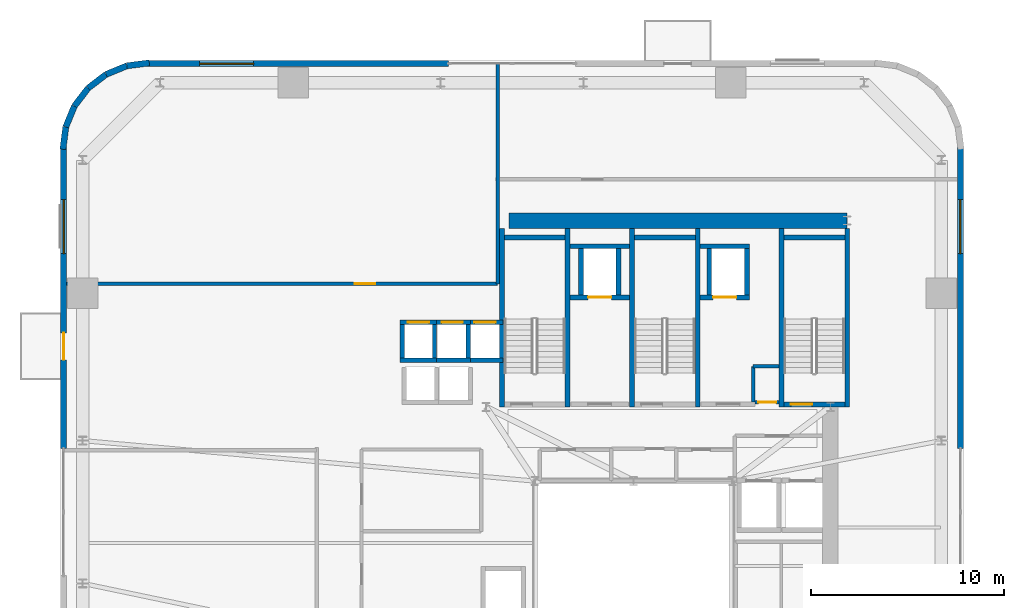
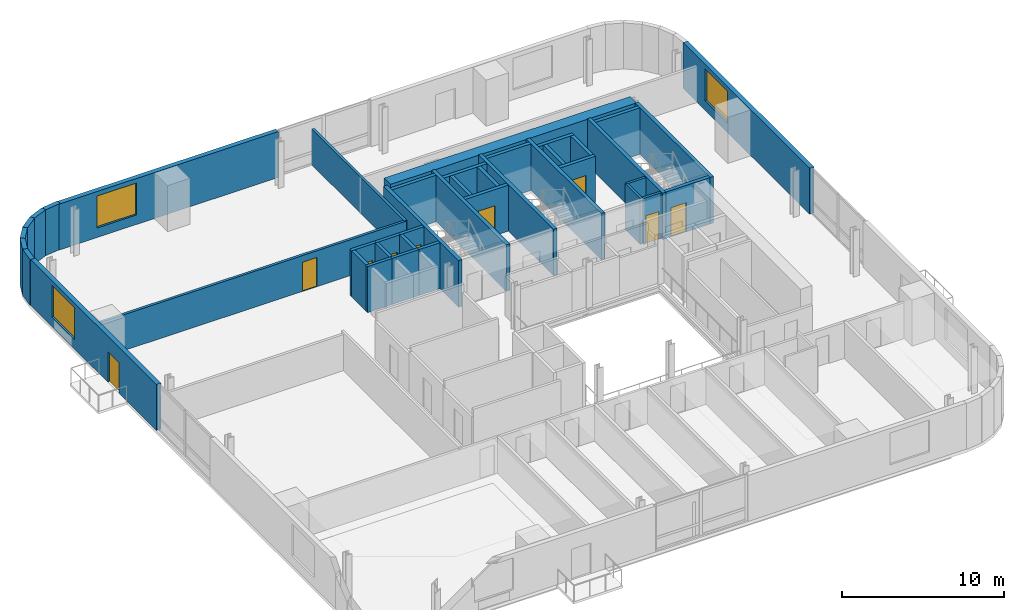
# One storey, part 8 of 14: 42 walls, 9 doors, 3 windows, 12 openings.
"""IFC4 building model written with IfcOpenShell, lengths in metres."""

from ifc_helpers import new_model, si_unit, direction, frame, frame_2d, origin, place, context, subcontext, project, spatial, rectangle, extrude, source, transform, mapped, material, layer, layer_set, type_object, element, fill, save


model = new_model("IFC4")

# Units and contexts
model_context = context("Model", 3, precision=1e-05, world=origin(), true_north=direction((0.0, 1.0)))
body_context = subcontext(model_context, "Body", "Model", "MODEL_VIEW")
ifc_project = project(units=[si_unit("LENGTHUNIT", "METRE"), si_unit("AREAUNIT", "SQUARE_METRE"), si_unit("VOLUMEUNIT", "CUBIC_METRE"), si_unit("PLANEANGLEUNIT", "RADIAN"), si_unit("MASSUNIT", "GRAM", prefix="KILO")], contexts=[model_context])

# Site, building, storey
site_placement = place(None, origin())
site = spatial("IfcSite", under=ifc_project, at=site_placement, CompositionType="ELEMENT")
building_placement = place(site_placement, origin())
building = spatial("IfcBuilding", under=site, at=building_placement, Name="Vardaveli Station Tower", CompositionType="ELEMENT")
storey_placement = place(building_placement, frame((0.0, 0.0, 126.10009765625)))
storey = spatial("IfcBuildingStorey", under=building, at=storey_placement, Name="L32", CompositionType="ELEMENT", Elevation=126.10009765625)

# Wall
ifc_material_1 = material(Name="Concrete C50/60", Category="concrete")
ifc_layer_1 = layer(ifc_material_1, 0.800048828125, Name="Concrete C50/60")
ifc_layer_set_1 = layer_set([ifc_layer_1], Name="Concrete C50/60")
wall_type_1 = type_object("IfcWallType", Name="WAL-CORE-800", PredefinedType="SHEAR", material=ifc_layer_set_1)
shared_shape_1 = source(origin(), body_context, "Body", "SweptSolid", [
    extrude(rectangle(XDim=17.52001953125, YDim=0.800048828125, at=frame_2d((8.760009765625, 0.0))), origin(), (0.0, 0.0, 1.0), 3.4599609375),
])
wall_1_placement = place(storey_placement, frame((29.85009765625, 40.300048828125, 0.0), z_axis=(0.0, 0.0, 1.0), x_axis=(1.0, 0.0, 0.0)))
element("IfcWall", 1, at=wall_1_placement, inside=storey, type_object=wall_type_1, Name="SW-L32-NORTH", PredefinedType="SHEAR", context=body_context, shape_type="MappedRepresentation", body=[
    mapped(shared_shape_1, transform((0.0, 0.0, 0.0), scale=1.0)),
])

# Wall, opening, window
ifc_material_2 = material(Name="Precast concrete C45/55", Category="concrete")
ifc_layer_2 = layer(ifc_material_2, 0.320068359375, Name="Precast concrete C45/55")
ifc_layer_set_2 = layer_set([ifc_layer_2], Name="Precast concrete C45/55")
wall_type_2 = type_object("IfcWallType", Name="WAL-EXT-STONE-320", PredefinedType="SOLIDWALL", material=ifc_layer_set_2)
shared_shape_2 = source(origin(), body_context, "Body", "SweptSolid", [
    extrude(rectangle(XDim=15.599853515625, YDim=0.320068359375, at=frame_2d((7.7998046875, 0.0))), origin(), (0.0, 0.0, 1.0), 3.4599609375),
])
wall_2_placement = place(storey_placement, frame((26.699951171875, 48.43994140625, 0.0), z_axis=(0.0, 0.0, 1.0), x_axis=(-1.0, 0.0, 0.0)))
wall_2 = element("IfcWall", 2, at=wall_2_placement, inside=storey, type_object=wall_type_2, Name="EW-L32-N2", PredefinedType="SOLIDWALL", context=body_context, shape_type="MappedRepresentation", body=[
    mapped(shared_shape_2, transform((0.0, 0.0, 0.0), scale=1.0)),
])
shared_shape_3 = source(origin(), body_context, "Body", "SweptSolid", [
    extrude(rectangle(XDim=2.800048828125, YDim=2.39990234375, at=frame_2d((1.39990234375, 1.199951171875))), frame((0.0, 0.169921875, 0.0), z_axis=(0.0, -1.0, 0.0), x_axis=(1.0, 0.0, 0.0)), (0.0, 0.0, 1.0), 0.340087890625),
])
opening_1_placement = place(wall_2_placement, frame((10.094970703125, 0.0, 0.719970703125)))
opening_1 = element("IfcOpeningElement", 3, at=opening_1_placement, cuts=wall_2, Name="Opening W-04", PredefinedType="OPENING", context=body_context, shape_type="MappedRepresentation", body=[
    mapped(shared_shape_3, transform((0.0, 0.0, 0.0), scale=1.0)),
])
ifc_material_3 = material(Name="Low-E solar-control glass", Category="glass")
window_type = type_object("IfcWindowType", Name="WIN-SUITE-2800x2400", PartitioningType="SINGLE_PANEL", PredefinedType="WINDOW", material=ifc_material_3)
shared_shape_4 = source(origin(), body_context, "Body", "SweptSolid", [
    extrude(rectangle(XDim=2.800048828125, YDim=2.39990234375, at=frame_2d((1.39990234375, 1.199951171875))), frame((0.0, 0.030029296875, 0.0), z_axis=(0.0, -1.0, 0.0), x_axis=(1.0, 0.0, 0.0)), (0.0, 0.0, 1.0), 0.06005859375),
])
window_1_placement = place(opening_1_placement, origin())
window_1 = element("IfcWindow", 4, at=window_1_placement, inside=storey, type_object=window_type, Name="WN-L32-N2", OverallHeight=2.39990234375, OverallWidth=2.800048828125, PartitioningType="SINGLE_PANEL", PredefinedType="WINDOW", context=body_context, shape_type="MappedRepresentation", body=[
    mapped(shared_shape_4, transform((0.0, 0.0, 0.0), scale=1.0)),
])
fill(opening_1, window_1)

# Wall, openings, door, window
shared_shape_5 = source(origin(), body_context, "Body", "SweptSolid", [
    extrude(rectangle(XDim=15.60009765625, YDim=0.320068359375, at=frame_2d((7.800048828125, 0.0))), origin(), (0.0, 0.0, 1.0), 3.4599609375),
])
wall_3_placement = place(storey_placement, frame((6.760009765625, 44.10009765625, 0.0), z_axis=(0.0, 0.0, 1.0), x_axis=(0.0, -1.0, 0.0)))
wall_3 = element("IfcWall", 5, at=wall_3_placement, inside=storey, type_object=wall_type_2, Name="EW-L32-W1", PredefinedType="SOLIDWALL", context=body_context, shape_type="MappedRepresentation", body=[
    mapped(shared_shape_5, transform((0.0, 0.0, 0.0), scale=1.0)),
])
shared_shape_6 = source(origin(), body_context, "Body", "SweptSolid", [
    extrude(rectangle(XDim=1.39990234375, YDim=2.300048828125, at=frame_2d((0.699951171875, 1.14990234375))), frame((0.0, 0.169921875, 0.0), z_axis=(0.0, -1.0, 0.0), x_axis=(1.0, 0.0, 0.0)), (0.0, 0.0, 1.0), 0.340087890625),
])
opening_2_placement = place(wall_3_placement, frame((9.6103515625, 0.0, 0.0)))
opening_2 = element("IfcOpeningElement", 6, at=opening_2_placement, cuts=wall_3, Name="Opening D-09", PredefinedType="OPENING", context=body_context, shape_type="MappedRepresentation", body=[
    mapped(shared_shape_6, transform((0.0, 0.0, 0.0), scale=1.0)),
])
opening_3_placement = place(wall_3_placement, frame((2.705078125, 0.0, 0.719970703125)))
opening_3 = element("IfcOpeningElement", 7, at=opening_3_placement, cuts=wall_3, Name="Opening W-04", PredefinedType="OPENING", context=body_context, shape_type="MappedRepresentation", body=[
    mapped(shared_shape_3, transform((0.0, 0.0, 0.0), scale=1.0)),
])
ifc_material_4 = material(Name="Thermally broken aluminium glass", Category="aluminium")
door_type_1 = type_object("IfcDoorType", Name="DR-LOG-1400x2300", OperationType="DOUBLE_DOOR_SLIDING", PredefinedType="DOOR", material=ifc_material_4)
shared_shape_7 = source(origin(), body_context, "Body", "SweptSolid", [
    extrude(rectangle(XDim=1.39990234375, YDim=2.300048828125, at=frame_2d((0.699951171875, 1.14990234375))), frame((0.0, 0.02490234375, 0.0), z_axis=(0.0, -1.0, 0.0), x_axis=(1.0, 0.0, 0.0)), (0.0, 0.0, 1.0), 0.050048828125),
])
door_1_placement = place(opening_2_placement, frame((1.39990234375, 0.0, 0.0), z_axis=(0.0, 0.0, 1.0), x_axis=(-1.0, 0.0, 0.0)))
door_1 = element("IfcDoor", 8, at=door_1_placement, inside=storey, type_object=door_type_1, Name="DLG-L32-W", OperationType="DOUBLE_DOOR_SLIDING", OverallHeight=2.300048828125, OverallWidth=1.39990234375, PredefinedType="DOOR", context=body_context, shape_type="MappedRepresentation", body=[
    mapped(shared_shape_7, transform((0.0, 0.0, 0.0), scale=1.0)),
])
fill(opening_2, door_1)
window_2_placement = place(opening_3_placement, origin())
window_2 = element("IfcWindow", 9, at=window_2_placement, inside=storey, type_object=window_type, Name="WN-L32-W1", OverallHeight=2.39990234375, OverallWidth=2.800048828125, PartitioningType="SINGLE_PANEL", PredefinedType="WINDOW", context=body_context, shape_type="MappedRepresentation", body=[
    mapped(shared_shape_4, transform((0.0, 0.0, 0.0), scale=1.0)),
])
fill(opening_3, window_2)

# Wall, opening, window
wall_4_placement = place(storey_placement, frame((53.239990234375, 28.5, 0.0), z_axis=(0.0, 0.0, 1.0), x_axis=(0.0, 1.0, 0.0)))
wall_4 = element("IfcWall", 10, at=wall_4_placement, inside=storey, type_object=wall_type_2, Name="EW-L32-E2", PredefinedType="SOLIDWALL", context=body_context, shape_type="MappedRepresentation", body=[
    mapped(shared_shape_5, transform((0.0, 0.0, 0.0), scale=1.0)),
])
opening_4_placement = place(wall_4_placement, frame((10.094970703125, 0.0, 0.719970703125)))
opening_4 = element("IfcOpeningElement", 11, at=opening_4_placement, cuts=wall_4, Name="Opening W-04", PredefinedType="OPENING", context=body_context, shape_type="MappedRepresentation", body=[
    mapped(shared_shape_3, transform((0.0, 0.0, 0.0), scale=1.0)),
])
window_3_placement = place(opening_4_placement, origin())
window_3 = element("IfcWindow", 12, at=window_3_placement, inside=storey, type_object=window_type, Name="WN-L32-E2", OverallHeight=2.39990234375, OverallWidth=2.800048828125, PartitioningType="SINGLE_PANEL", PredefinedType="WINDOW", context=body_context, shape_type="MappedRepresentation", body=[
    mapped(shared_shape_4, transform((0.0, 0.0, 0.0), scale=1.0)),
])
fill(opening_4, window_3)

# Walls
shared_shape_8 = source(origin(), body_context, "Body", "SweptSolid", [
    extrude(rectangle(XDim=1.1689453125, YDim=0.320068359375, at=frame_2d((0.58447265625, 0.0))), origin(), (0.0, 0.0, 1.0), 3.4599609375),
])
wall_5_placement = place(storey_placement, frame((8.03125, 47.1689453125, 0.0), z_axis=(0.0, 0.0, 1.0), x_axis=(-0.608387696831, -0.793639975269, 0.0)))
element("IfcWall", 13, at=wall_5_placement, inside=storey, type_object=wall_type_2, Name="EW-L32-CR4-4", PredefinedType="SOLIDWALL", context=body_context, shape_type="MappedRepresentation", body=[
    mapped(shared_shape_8, transform((0.0, 0.0, 0.0), scale=1.0)),
])
shared_shape_9 = source(origin(), body_context, "Body", "SweptSolid", [
    extrude(rectangle(XDim=1.168701171875, YDim=0.320068359375, at=frame_2d((0.58447265625, 0.0))), origin(), (0.0, 0.0, 1.0), 3.4599609375),
])
wall_6_placement = place(storey_placement, frame((8.958740234375, 47.8798828125, 0.0), z_axis=(0.0, 0.0, 1.0), x_axis=(-0.793663520347, -0.608356981114, 0.0)))
element("IfcWall", 14, at=wall_6_placement, inside=storey, type_object=wall_type_2, Name="EW-L32-CR4-3", PredefinedType="SOLIDWALL", context=body_context, shape_type="MappedRepresentation", body=[
    mapped(shared_shape_9, transform((0.0, 0.0, 0.0), scale=1.0)),
])
shared_shape_10 = source(origin(), body_context, "Body", "SweptSolid", [
    extrude(rectangle(XDim=1.17041015625, YDim=0.320068359375, at=frame_2d((0.585205078125, 0.0))), origin(), (0.0, 0.0, 1.0), 3.4599609375),
])
for number, where, z_axis, x_axis, name in (
    (15, (11.200439453125, 48.4755859375, 0.0), (0.0, 0.0, 1.0), (-0.991735963317, -0.128295670475, 0.0), "EW-L32-CR4-1"),
    (16, (6.87451171875, 45.16015625, 0.0), (0.0, 0.0, 1.0), (-0.128295670475, -0.991735963317, 0.0), "EW-L32-CR4-6"),
):
    element("IfcWall", number, at=place(storey_placement, frame(where, z_axis=z_axis, x_axis=x_axis)), inside=storey, type_object=wall_type_2, Name=name, PredefinedType="SOLIDWALL", context=body_context, shape_type="MappedRepresentation", body=[
        mapped(shared_shape_10, transform((0.0, 0.0, 0.0), scale=1.0)),
    ])
shared_shape_11 = source(origin(), body_context, "Body", "SweptSolid", [
    extrude(rectangle(XDim=1.169189453125, YDim=0.320068359375, at=frame_2d((0.58447265625, 0.0))), origin(), (0.0, 0.0, 1.0), 3.4599609375),
])
for number, where, z_axis, x_axis, name in (
    (17, (10.039794921875, 48.325439453125, 0.0), (0.0, 0.0, 1.0), (-0.924552646638, -0.381054331552, 0.0), "EW-L32-CR4-2"),
    (18, (7.320068359375, 46.2412109375, 0.0), (0.0, 0.0, 1.0), (-0.381054331552, -0.924552646638, 0.0), "EW-L32-CR4-5"),
):
    element("IfcWall", number, at=place(storey_placement, frame(where, z_axis=z_axis, x_axis=x_axis)), inside=storey, type_object=wall_type_2, Name=name, PredefinedType="SOLIDWALL", context=body_context, shape_type="MappedRepresentation", body=[
        mapped(shared_shape_11, transform((0.0, 0.0, 0.0), scale=1.0)),
    ])
ifc_material_5 = material(Name="Concrete C40/50", Category="concrete")
ifc_layer_3 = layer(ifc_material_5, 0.25, Name="Concrete C40/50")
ifc_layer_set_3 = layer_set([ifc_layer_3], Name="Concrete C40/50")
wall_type_3 = type_object("IfcWallType", Name="WAL-SHAFT-250", PredefinedType="SOLIDWALL", material=ifc_layer_set_3)
shared_shape_12 = source(origin(), body_context, "Body", "SweptSolid", [
    extrude(rectangle(XDim=9.25, YDim=0.25, at=frame_2d((4.625, 0.0))), origin(), (0.0, 0.0, 1.0), 3.5),
])
for number, where, z_axis, x_axis, name in (
    (19, (29.47509765625, 30.64990234375, 0.0), (0.0, 0.0, 1.0), (0.0, 1.0, 0.0), "W-L32-ST-1W"),
    (20, (32.875, 30.64990234375, 0.0), (0.0, 0.0, 1.0), (0.0, 1.0, 0.0), "W-L32-ST-1E"),
    (21, (36.22509765625, 30.64990234375, 0.0), (0.0, 0.0, 1.0), (0.0, 1.0, 0.0), "W-L32-ST-2W"),
    (22, (39.625, 30.64990234375, 0.0), (0.0, 0.0, 1.0), (0.0, 1.0, 0.0), "W-L32-ST-2E"),
    (23, (43.97509765625, 30.64990234375, 0.0), (0.0, 0.0, 1.0), (0.0, 1.0, 0.0), "W-L32-ST-3W"),
    (24, (47.375, 30.64990234375, 0.0), (0.0, 0.0, 1.0), (0.0, 1.0, 0.0), "W-L32-ST-3E"),
):
    element("IfcWall", number, at=place(storey_placement, frame(where, z_axis=z_axis, x_axis=x_axis)), inside=storey, type_object=wall_type_3, Name=name, PredefinedType="SOLIDWALL", context=body_context, shape_type="MappedRepresentation", body=[
        mapped(shared_shape_12, transform((0.0, 0.0, 0.0), scale=1.0)),
    ])
shared_shape_13 = source(origin(), body_context, "Body", "SweptSolid", [
    extrude(rectangle(XDim=3.14990234375, YDim=0.25, at=frame_2d((1.574951171875, 0.0))), origin(), (0.0, 0.0, 1.0), 3.5),
])
for number, where, z_axis, x_axis, name in (
    (25, (29.60009765625, 39.425048828125, 0.0), (0.0, 0.0, 1.0), (1.0, 0.0, 0.0), "W-L32-ST-1N"),
    (26, (36.35009765625, 39.425048828125, 0.0), (0.0, 0.0, 1.0), (1.0, 0.0, 0.0), "W-L32-ST-2N"),
    (27, (44.10009765625, 39.425048828125, 0.0), (0.0, 0.0, 1.0), (1.0, 0.0, 0.0), "W-L32-ST-3N"),
):
    element("IfcWall", number, at=place(storey_placement, frame(where, z_axis=z_axis, x_axis=x_axis)), inside=storey, type_object=wall_type_3, Name=name, PredefinedType="SOLIDWALL", context=body_context, shape_type="MappedRepresentation", body=[
        mapped(shared_shape_13, transform((0.0, 0.0, 0.0), scale=1.0)),
    ])

# Wall, opening, door
wall_7_placement = place(storey_placement, frame((44.10009765625, 30.77490234375, 0.0), z_axis=(0.0, 0.0, 1.0), x_axis=(1.0, 0.0, 0.0)))
wall_7 = element("IfcWall", 28, at=wall_7_placement, inside=storey, type_object=wall_type_3, Name="W-L32-ST-3S", PredefinedType="SOLIDWALL", context=body_context, shape_type="MappedRepresentation", body=[
    mapped(shared_shape_13, transform((0.0, 0.0, 0.0), scale=1.0)),
])
shared_shape_14 = source(origin(), body_context, "Body", "SweptSolid", [
    extrude(rectangle(XDim=1.10009765625, YDim=2.199951171875, at=frame_2d((0.550048828125, 1.10009765625))), frame((0.0, 0.135009765625, 0.0), z_axis=(0.0, -1.0, 0.0), x_axis=(1.0, 0.0, 0.0)), (0.0, 0.0, 1.0), 0.27001953125),
])
opening_5_placement = place(wall_7_placement, frame((0.35009765625, 0.0, 0.0)))
opening_5 = element("IfcOpeningElement", 29, at=opening_5_placement, cuts=wall_7, Name="Opening D-04", PredefinedType="OPENING", context=body_context, shape_type="MappedRepresentation", body=[
    mapped(shared_shape_14, transform((0.0, 0.0, 0.0), scale=1.0)),
])
ifc_material_6 = material(Name="Steel smokeproof fire doorset", Category="steel")
door_type_2 = type_object("IfcDoorType", Name="DR-ST-1100x2200", OperationType="NOTDEFINED", PredefinedType="DOOR", material=ifc_material_6)
shared_shape_15 = source(origin(), body_context, "Body", "SweptSolid", [
    extrude(rectangle(XDim=1.10009765625, YDim=2.199951171875, at=frame_2d((0.550048828125, 1.10009765625))), frame((0.0, 0.02490234375, 0.0), z_axis=(0.0, -1.0, 0.0), x_axis=(1.0, 0.0, 0.0)), (0.0, 0.0, 1.0), 0.050048828125),
])
door_2_placement = place(opening_5_placement, origin())
door_2 = element("IfcDoor", 30, at=door_2_placement, inside=storey, type_object=door_type_2, Name="DST-3-L32", OperationType="SINGLE_SWING_LEFT", OverallHeight=2.199951171875, OverallWidth=1.10009765625, PredefinedType="DOOR", context=body_context, shape_type="MappedRepresentation", body=[
    mapped(shared_shape_15, transform((0.0, 0.0, 0.0), scale=1.0)),
])
fill(opening_5, door_2)

# Wall
ifc_layer_4 = layer(ifc_material_5, 0.219970703125, Name="Concrete C40/50")
ifc_layer_set_4 = layer_set([ifc_layer_4], Name="Concrete C40/50")
wall_type_4 = type_object("IfcWallType", Name="WAL-FFLOBBY-220", PredefinedType="SOLIDWALL", material=ifc_layer_set_4)
shared_shape_16 = source(origin(), body_context, "Body", "SweptSolid", [
    extrude(rectangle(XDim=1.889892578125, YDim=0.219970703125, at=frame_2d((0.94482421875, 0.0))), origin(), (0.0, 0.0, 1.0), 3.4599609375),
])
wall_8_placement = place(storey_placement, frame((24.205078125, 33.06494140625, 0.0), z_axis=(0.0, 0.0, 1.0), x_axis=(1.0, 0.0, 0.0)))
element("IfcWall", 31, at=wall_8_placement, inside=storey, type_object=wall_type_4, Name="SHW-HL2-01-L32-S", PredefinedType="SOLIDWALL", context=body_context, shape_type="MappedRepresentation", body=[
    mapped(shared_shape_16, transform((0.0, 0.0, 0.0), scale=1.0)),
])

# Wall, opening, door
wall_9_placement = place(storey_placement, frame((24.205078125, 35.034912109375, 0.0), z_axis=(0.0, 0.0, 1.0), x_axis=(1.0, 0.0, 0.0)))
wall_9 = element("IfcWall", 32, at=wall_9_placement, inside=storey, type_object=wall_type_4, Name="SHW-HL2-01-L32-N", PredefinedType="SOLIDWALL", context=body_context, shape_type="MappedRepresentation", body=[
    mapped(shared_shape_16, transform((0.0, 0.0, 0.0), scale=1.0)),
])
shared_shape_17 = source(origin(), body_context, "Body", "SweptSolid", [
    extrude(rectangle(XDim=1.10009765625, YDim=2.199951171875, at=frame_2d((0.550048828125, 1.10009765625))), frame((0.0, 0.1201171875, 0.0), z_axis=(0.0, -1.0, 0.0), x_axis=(1.0, 0.0, 0.0)), (0.0, 0.0, 1.0), 0.239990234375),
])
opening_6_placement = place(wall_9_placement, frame((0.39501953125, 0.0, 0.0)))
opening_6 = element("IfcOpeningElement", 33, at=opening_6_placement, cuts=wall_9, Name="Opening LD-01", PredefinedType="OPENING", context=body_context, shape_type="MappedRepresentation", body=[
    mapped(shared_shape_17, transform((0.0, 0.0, 0.0), scale=1.0)),
])
ifc_material_7 = material(Name="Brushed stainless steel", Category="steel")
door_type_3 = type_object("IfcDoorType", Name="DR-LD-1100x2200", OperationType="DOUBLE_DOOR_SLIDING", PredefinedType="DOOR", material=ifc_material_7)
door_3_placement = place(opening_6_placement, origin())
door_3 = element("IfcDoor", 34, at=door_3_placement, inside=storey, type_object=door_type_3, Name="LD-HL2-01-L32", OperationType="DOUBLE_DOOR_SLIDING", OverallHeight=2.199951171875, OverallWidth=1.10009765625, PredefinedType="DOOR", context=body_context, shape_type="MappedRepresentation", body=[
    mapped(shared_shape_15, transform((0.0, 0.0, 0.0), scale=1.0)),
])
fill(opening_6, door_3)

# Wall
wall_10_placement = place(storey_placement, frame((25.955078125, 33.06494140625, 0.0), z_axis=(0.0, 0.0, 1.0), x_axis=(1.0, 0.0, 0.0)))
element("IfcWall", 35, at=wall_10_placement, inside=storey, type_object=wall_type_4, Name="SHW-HL2-02-L32-S", PredefinedType="SOLIDWALL", context=body_context, shape_type="MappedRepresentation", body=[
    mapped(shared_shape_16, transform((0.0, 0.0, 0.0), scale=1.0)),
])

# Wall, opening, door
wall_11_placement = place(storey_placement, frame((25.955078125, 35.034912109375, 0.0), z_axis=(0.0, 0.0, 1.0), x_axis=(1.0, 0.0, 0.0)))
wall_11 = element("IfcWall", 36, at=wall_11_placement, inside=storey, type_object=wall_type_4, Name="SHW-HL2-02-L32-N", PredefinedType="SOLIDWALL", context=body_context, shape_type="MappedRepresentation", body=[
    mapped(shared_shape_16, transform((0.0, 0.0, 0.0), scale=1.0)),
])
opening_7_placement = place(wall_11_placement, frame((0.39501953125, 0.0, 0.0)))
opening_7 = element("IfcOpeningElement", 37, at=opening_7_placement, cuts=wall_11, Name="Opening LD-01", PredefinedType="OPENING", context=body_context, shape_type="MappedRepresentation", body=[
    mapped(shared_shape_17, transform((0.0, 0.0, 0.0), scale=1.0)),
])
door_4_placement = place(opening_7_placement, origin())
door_4 = element("IfcDoor", 38, at=door_4_placement, inside=storey, type_object=door_type_3, Name="LD-HL2-02-L32", OperationType="DOUBLE_DOOR_SLIDING", OverallHeight=2.199951171875, OverallWidth=1.10009765625, PredefinedType="DOOR", context=body_context, shape_type="MappedRepresentation", body=[
    mapped(shared_shape_15, transform((0.0, 0.0, 0.0), scale=1.0)),
])
fill(opening_7, door_4)

# Wall
wall_12_placement = place(storey_placement, frame((27.655029296875, 33.06494140625, 0.0), z_axis=(0.0, 0.0, 1.0), x_axis=(1.0, 0.0, 0.0)))
element("IfcWall", 39, at=wall_12_placement, inside=storey, type_object=wall_type_4, Name="SHW-HL2-03-L32-S", PredefinedType="SOLIDWALL", context=body_context, shape_type="MappedRepresentation", body=[
    mapped(shared_shape_16, transform((0.0, 0.0, 0.0), scale=1.0)),
])

# Wall, opening, door
wall_13_placement = place(storey_placement, frame((27.655029296875, 35.034912109375, 0.0), z_axis=(0.0, 0.0, 1.0), x_axis=(1.0, 0.0, 0.0)))
wall_13 = element("IfcWall", 40, at=wall_13_placement, inside=storey, type_object=wall_type_4, Name="SHW-HL2-03-L32-N", PredefinedType="SOLIDWALL", context=body_context, shape_type="MappedRepresentation", body=[
    mapped(shared_shape_16, transform((0.0, 0.0, 0.0), scale=1.0)),
])
opening_8_placement = place(wall_13_placement, frame((0.39501953125, 0.0, 0.0)))
opening_8 = element("IfcOpeningElement", 41, at=opening_8_placement, cuts=wall_13, Name="Opening LD-01", PredefinedType="OPENING", context=body_context, shape_type="MappedRepresentation", body=[
    mapped(shared_shape_17, transform((0.0, 0.0, 0.0), scale=1.0)),
])
door_5_placement = place(opening_8_placement, origin())
door_5 = element("IfcDoor", 42, at=door_5_placement, inside=storey, type_object=door_type_3, Name="LD-HL2-03-L32", OperationType="DOUBLE_DOOR_SLIDING", OverallHeight=2.199951171875, OverallWidth=1.10009765625, PredefinedType="DOOR", context=body_context, shape_type="MappedRepresentation", body=[
    mapped(shared_shape_15, transform((0.0, 0.0, 0.0), scale=1.0)),
])
fill(opening_8, door_5)

# Walls
shared_shape_18 = source(origin(), body_context, "Body", "SweptSolid", [
    extrude(rectangle(XDim=1.75, YDim=0.219970703125, at=frame_2d((0.875, 0.0))), origin(), (0.0, 0.0, 1.0), 3.4599609375),
])
for number, where, z_axis, x_axis, name in (
    (43, (24.31494140625, 33.175048828125, 0.0), (0.0, 0.0, 1.0), (0.0, 1.0, 0.0), "SHW-HL2-01-L32-W"),
    (44, (25.985107421875, 33.175048828125, 0.0), (0.0, 0.0, 1.0), (0.0, 1.0, 0.0), "SHW-HL2-01-L32-E"),
    (45, (27.735107421875, 33.175048828125, 0.0), (0.0, 0.0, 1.0), (0.0, 1.0, 0.0), "SHW-HL2-02-L32-E"),
):
    element("IfcWall", number, at=place(storey_placement, frame(where, z_axis=z_axis, x_axis=x_axis)), inside=storey, type_object=wall_type_4, Name=name, PredefinedType="SOLIDWALL", context=body_context, shape_type="MappedRepresentation", body=[
        mapped(shared_shape_18, transform((0.0, 0.0, 0.0), scale=1.0)),
    ])

# Wall, opening, door
shared_shape_19 = source(origin(), body_context, "Body", "SweptSolid", [
    extrude(rectangle(XDim=3.10009765625, YDim=0.25, at=frame_2d((1.550048828125, 0.0))), origin(), (0.0, 0.0, 1.0), 3.4599609375),
])
wall_14_placement = place(storey_placement, frame((33.0, 36.324951171875, 0.0), z_axis=(0.0, 0.0, 1.0), x_axis=(1.0, 0.0, 0.0)))
wall_14 = element("IfcWall", 46, at=wall_14_placement, inside=storey, type_object=wall_type_3, Name="SHW-FFL-01-L32-S", PredefinedType="SOLIDWALL", context=body_context, shape_type="MappedRepresentation", body=[
    mapped(shared_shape_19, transform((0.0, 0.0, 0.0), scale=1.0)),
])
shared_shape_20 = source(origin(), body_context, "Body", "SweptSolid", [
    extrude(rectangle(XDim=1.199951171875, YDim=2.25, at=frame_2d((0.60009765625, 1.125))), frame((0.0, 0.135009765625, 0.0), z_axis=(0.0, -1.0, 0.0), x_axis=(1.0, 0.0, 0.0)), (0.0, 0.0, 1.0), 0.27001953125),
])
opening_9_placement = place(wall_14_placement, frame((0.949951171875, 0.0, 0.0)))
opening_9 = element("IfcOpeningElement", 47, at=opening_9_placement, cuts=wall_14, Name="Opening LD-02", PredefinedType="OPENING", context=body_context, shape_type="MappedRepresentation", body=[
    mapped(shared_shape_20, transform((0.0, 0.0, 0.0), scale=1.0)),
])
door_type_4 = type_object("IfcDoorType", Name="DR-LD-1200x2250", OperationType="DOUBLE_DOOR_SLIDING", PredefinedType="DOOR", material=ifc_material_7)
shared_shape_21 = source(origin(), body_context, "Body", "SweptSolid", [
    extrude(rectangle(XDim=1.199951171875, YDim=2.25, at=frame_2d((0.60009765625, 1.125))), frame((0.0, 0.02490234375, 0.0), z_axis=(0.0, -1.0, 0.0), x_axis=(1.0, 0.0, 0.0)), (0.0, 0.0, 1.0), 0.050048828125),
])
door_6_placement = place(opening_9_placement, origin())
door_6 = element("IfcDoor", 48, at=door_6_placement, inside=storey, type_object=door_type_4, Name="LD-FFL-01-L32", OperationType="DOUBLE_DOOR_SLIDING", OverallHeight=2.25, OverallWidth=1.199951171875, PredefinedType="DOOR", context=body_context, shape_type="MappedRepresentation", body=[
    mapped(shared_shape_21, transform((0.0, 0.0, 0.0), scale=1.0)),
])
fill(opening_9, door_6)

# Walls
wall_15_placement = place(storey_placement, frame((33.0, 38.97509765625, 0.0), z_axis=(0.0, 0.0, 1.0), x_axis=(1.0, 0.0, 0.0)))
element("IfcWall", 49, at=wall_15_placement, inside=storey, type_object=wall_type_3, Name="SHW-FFL-01-L32-N", PredefinedType="SOLIDWALL", context=body_context, shape_type="MappedRepresentation", body=[
    mapped(shared_shape_19, transform((0.0, 0.0, 0.0), scale=1.0)),
])
shared_shape_22 = source(origin(), body_context, "Body", "SweptSolid", [
    extrude(rectangle(XDim=2.400146484375, YDim=0.25, at=frame_2d((1.2001953125, 0.0))), origin(), (0.0, 0.0, 1.0), 3.4599609375),
])
for number, where, z_axis, x_axis, name in (
    (50, (33.574951171875, 36.449951171875, 0.0), (0.0, 0.0, 1.0), (0.0, 1.0, 0.0), "SHW-FFL-01-L32-W"),
    (51, (35.52490234375, 36.449951171875, 0.0), (0.0, 0.0, 1.0), (0.0, 1.0, 0.0), "SHW-FFL-01-L32-E"),
    (52, (40.22509765625, 36.449951171875, 0.0), (0.0, 0.0, 1.0), (0.0, 1.0, 0.0), "SHW-FFL-02-L32-W"),
    (53, (42.175048828125, 36.449951171875, 0.0), (0.0, 0.0, 1.0), (0.0, 1.0, 0.0), "SHW-FFL-02-L32-E"),
):
    element("IfcWall", number, at=place(storey_placement, frame(where, z_axis=z_axis, x_axis=x_axis)), inside=storey, type_object=wall_type_3, Name=name, PredefinedType="SOLIDWALL", context=body_context, shape_type="MappedRepresentation", body=[
        mapped(shared_shape_22, transform((0.0, 0.0, 0.0), scale=1.0)),
    ])

# Wall, opening, door
shared_shape_23 = source(origin(), body_context, "Body", "SweptSolid", [
    extrude(rectangle(XDim=2.550048828125, YDim=0.25, at=frame_2d((1.27490234375, 0.0))), origin(), (0.0, 0.0, 1.0), 3.4599609375),
])
wall_16_placement = place(storey_placement, frame((39.75, 36.324951171875, 0.0), z_axis=(0.0, 0.0, 1.0), x_axis=(1.0, 0.0, 0.0)))
wall_16 = element("IfcWall", 54, at=wall_16_placement, inside=storey, type_object=wall_type_3, Name="SHW-FFL-02-L32-S", PredefinedType="SOLIDWALL", context=body_context, shape_type="MappedRepresentation", body=[
    mapped(shared_shape_23, transform((0.0, 0.0, 0.0), scale=1.0)),
])
opening_10_placement = place(wall_16_placement, frame((0.675048828125, 0.0, 0.0)))
opening_10 = element("IfcOpeningElement", 55, at=opening_10_placement, cuts=wall_16, Name="Opening LD-02", PredefinedType="OPENING", context=body_context, shape_type="MappedRepresentation", body=[
    mapped(shared_shape_20, transform((0.0, 0.0, 0.0), scale=1.0)),
])
door_7_placement = place(opening_10_placement, origin())
door_7 = element("IfcDoor", 56, at=door_7_placement, inside=storey, type_object=door_type_4, Name="LD-FFL-02-L32", OperationType="DOUBLE_DOOR_SLIDING", OverallHeight=2.25, OverallWidth=1.199951171875, PredefinedType="DOOR", context=body_context, shape_type="MappedRepresentation", body=[
    mapped(shared_shape_21, transform((0.0, 0.0, 0.0), scale=1.0)),
])
fill(opening_10, door_7)

# Wall
wall_17_placement = place(storey_placement, frame((39.75, 38.97509765625, 0.0), z_axis=(0.0, 0.0, 1.0), x_axis=(1.0, 0.0, 0.0)))
element("IfcWall", 57, at=wall_17_placement, inside=storey, type_object=wall_type_3, Name="SHW-FFL-02-L32-N", PredefinedType="SOLIDWALL", context=body_context, shape_type="MappedRepresentation", body=[
    mapped(shared_shape_23, transform((0.0, 0.0, 0.0), scale=1.0)),
])

# Wall, opening, door
ifc_material_8 = material(Name="Fire-rated gypsum stud partition")
ifc_layer_5 = layer(ifc_material_8, 0.179931640625, Name="Fire-rated gypsum stud partition")
ifc_layer_set_5 = layer_set([ifc_layer_5], Name="Fire-rated gypsum stud partition")
wall_type_5 = type_object("IfcWallType", Name="WAL-CORR-180", PredefinedType="PARTITIONING", material=ifc_layer_set_5)
shared_shape_24 = source(origin(), body_context, "Body", "SweptSolid", [
    extrude(rectangle(XDim=22.327880859375, YDim=0.179931640625, at=frame_2d((11.1640625, 0.0))), origin(), (0.0, 0.0, 1.0), 2.701904296875),
])
wall_18_placement = place(storey_placement, frame((6.922119140625, 37.02001953125, 0.0), z_axis=(0.0, 0.0, 1.0), x_axis=(1.0, 0.0, 0.0)))
wall_18 = element("IfcWall", 58, at=wall_18_placement, inside=storey, type_object=wall_type_5, Name="W-L32-CNWS", PredefinedType="PARTITIONING", context=body_context, shape_type="MappedRepresentation", body=[
    mapped(shared_shape_24, transform((0.0, 0.0, 0.0), scale=1.0)),
])
shared_shape_25 = source(origin(), body_context, "Body", "SweptSolid", [
    extrude(rectangle(XDim=1.050048828125, YDim=2.199951171875, at=frame_2d((0.52490234375, 1.10009765625))), frame((0.0, 0.10009765625, 0.0), z_axis=(0.0, -1.0, 0.0), x_axis=(1.0, 0.0, 0.0)), (0.0, 0.0, 1.0), 0.199951171875),
])
opening_11_placement = place(wall_18_placement, frame((14.927978515625, 0.0, 0.0)))
opening_11 = element("IfcOpeningElement", 59, at=opening_11_placement, cuts=wall_18, Name="Opening D-05", PredefinedType="OPENING", context=body_context, shape_type="MappedRepresentation", body=[
    mapped(shared_shape_25, transform((0.0, 0.0, 0.0), scale=1.0)),
])
ifc_material_9 = material(Name="Walnut veneer acoustic fire door")
door_type_5 = type_object("IfcDoorType", Name="DR-SUITE-1050x2200", OperationType="NOTDEFINED", PredefinedType="DOOR", material=ifc_material_9)
shared_shape_26 = source(origin(), body_context, "Body", "SweptSolid", [
    extrude(rectangle(XDim=1.050048828125, YDim=2.199951171875, at=frame_2d((0.52490234375, 1.10009765625))), frame((0.0, 0.02490234375, 0.0), z_axis=(0.0, -1.0, 0.0), x_axis=(1.0, 0.0, 0.0)), (0.0, 0.0, 1.0), 0.050048828125),
])
door_8_placement = place(opening_11_placement, origin())
door_8 = element("IfcDoor", 60, at=door_8_placement, inside=storey, type_object=door_type_5, Name="D-L32-GNW1", OperationType="SINGLE_SWING_LEFT", OverallHeight=2.199951171875, OverallWidth=1.050048828125, PredefinedType="DOOR", context=body_context, shape_type="MappedRepresentation", body=[
    mapped(shared_shape_26, transform((0.0, 0.0, 0.0), scale=1.0)),
])
fill(opening_11, door_8)

# Wall
shared_shape_27 = source(origin(), body_context, "Body", "SweptSolid", [
    extrude(rectangle(XDim=11.449951171875, YDim=0.179931640625, at=frame_2d((5.72509765625, 0.0))), origin(), (0.0, 0.0, 1.0), 2.701904296875),
])
wall_19_placement = place(storey_placement, frame((29.25, 37.02001953125, 0.0), z_axis=(0.0, 0.0, 1.0), x_axis=(0.0, 1.0, 0.0)))
element("IfcWall", 61, at=wall_19_placement, inside=storey, type_object=wall_type_5, Name="W-L32-CNWE", PredefinedType="PARTITIONING", context=body_context, shape_type="MappedRepresentation", body=[
    mapped(shared_shape_27, transform((0.0, 0.0, 0.0), scale=1.0)),
])

# Wall, opening, door
shared_shape_28 = source(origin(), body_context, "Body", "SweptSolid", [
    extrude(rectangle(XDim=1.247802734375, YDim=0.179931640625, at=frame_2d((0.6240234375, 0.0))), origin(), (0.0, 0.0, 1.0), 3.4599609375),
])
wall_20_placement = place(storey_placement, frame((42.60009765625, 30.8798828125, 0.0), z_axis=(0.0, 0.0, 1.0), x_axis=(1.0, 0.0, 0.0)))
wall_20 = element("IfcWall", 62, at=wall_20_placement, inside=storey, type_object=wall_type_5, Name="W-L32-CBS2A-S", PredefinedType="PARTITIONING", context=body_context, shape_type="MappedRepresentation", body=[
    mapped(shared_shape_28, transform((0.0, 0.0, 0.0), scale=1.0)),
])
shared_shape_29 = source(origin(), body_context, "Body", "SweptSolid", [
    extrude(rectangle(XDim=0.919921875, YDim=2.10009765625, at=frame_2d((0.4599609375, 1.050048828125))), frame((0.0, 0.10009765625, 0.0), z_axis=(0.0, -1.0, 0.0), x_axis=(1.0, 0.0, 0.0)), (0.0, 0.0, 1.0), 0.199951171875),
])
opening_12_placement = place(wall_20_placement, frame((0.1640625, 0.0, 0.0)))
opening_12 = element("IfcOpeningElement", 63, at=opening_12_placement, cuts=wall_20, Name="Opening D-07", PredefinedType="OPENING", context=body_context, shape_type="MappedRepresentation", body=[
    mapped(shared_shape_29, transform((0.0, 0.0, 0.0), scale=1.0)),
])
ifc_material_10 = material(Name="Moisture-resistant hardwood door", Category="wood")
door_type_6 = type_object("IfcDoorType", Name="DR-WC-920x2100", OperationType="NOTDEFINED", PredefinedType="DOOR", material=ifc_material_10)
shared_shape_30 = source(origin(), body_context, "Body", "SweptSolid", [
    extrude(rectangle(XDim=0.919921875, YDim=2.10009765625, at=frame_2d((0.4599609375, 1.050048828125))), frame((0.0, 0.02490234375, 0.0), z_axis=(0.0, -1.0, 0.0), x_axis=(1.0, 0.0, 0.0)), (0.0, 0.0, 1.0), 0.050048828125),
])
door_9_placement = place(opening_12_placement, origin())
door_9 = element("IfcDoor", 64, at=door_9_placement, inside=storey, type_object=door_type_6, Name="D-L32-CBS1", OperationType="SINGLE_SWING_LEFT", OverallHeight=2.10009765625, OverallWidth=0.919921875, PredefinedType="DOOR", context=body_context, shape_type="MappedRepresentation", body=[
    mapped(shared_shape_30, transform((0.0, 0.0, 0.0), scale=1.0)),
])
fill(opening_12, door_9)

# Walls
shared_shape_31 = source(origin(), body_context, "Body", "SweptSolid", [
    extrude(rectangle(XDim=1.85791015625, YDim=0.179931640625, at=frame_2d((0.928955078125, 0.0))), origin(), (0.0, 0.0, 1.0), 3.4599609375),
])
wall_21_placement = place(storey_placement, frame((42.5, 30.89208984375, 0.0), z_axis=(0.0, 0.0, 1.0), x_axis=(0.0, 1.0, 0.0)))
element("IfcWall", 65, at=wall_21_placement, inside=storey, type_object=wall_type_5, Name="W-L32-CBS2A-W", PredefinedType="PARTITIONING", context=body_context, shape_type="MappedRepresentation", body=[
    mapped(shared_shape_31, transform((0.0, 0.0, 0.0), scale=1.0)),
])
shared_shape_32 = source(origin(), body_context, "Body", "SweptSolid", [
    extrude(rectangle(XDim=1.347900390625, YDim=0.179931640625, at=frame_2d((0.673828125, 0.0))), origin(), (0.0, 0.0, 1.0), 3.4599609375),
])
wall_22_placement = place(storey_placement, frame((42.5, 32.75, 0.0), z_axis=(0.0, 0.0, 1.0), x_axis=(1.0, 0.0, 0.0)))
element("IfcWall", 66, at=wall_22_placement, inside=storey, type_object=wall_type_5, Name="W-L32-CBS2A-N", PredefinedType="PARTITIONING", context=body_context, shape_type="MappedRepresentation", body=[
    mapped(shared_shape_32, transform((0.0, 0.0, 0.0), scale=1.0)),
])

save(model, "model.ifc")
